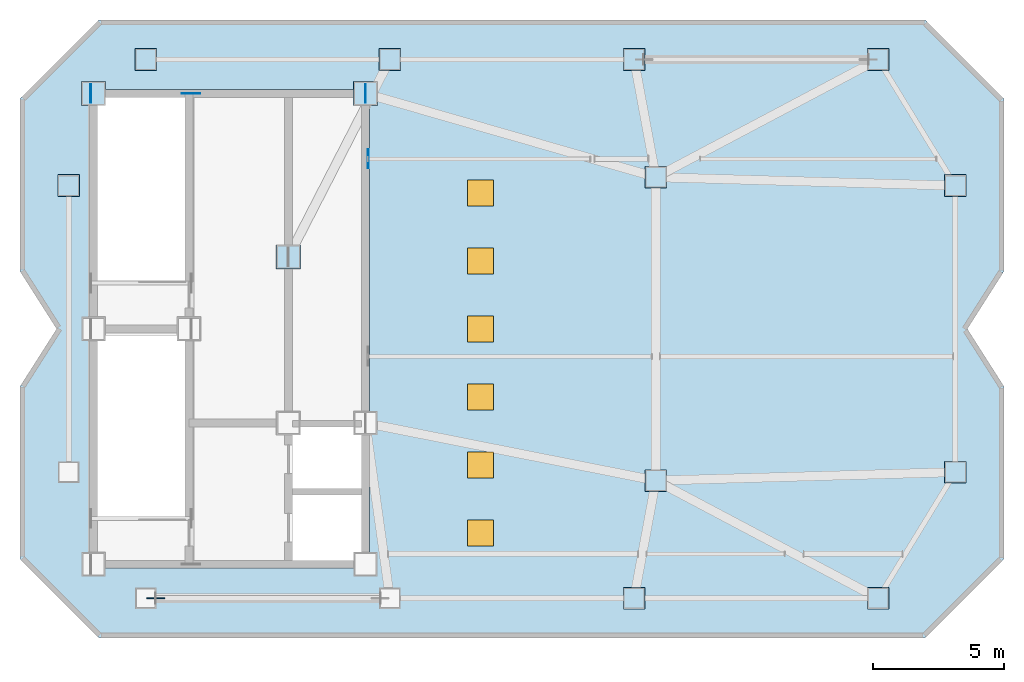
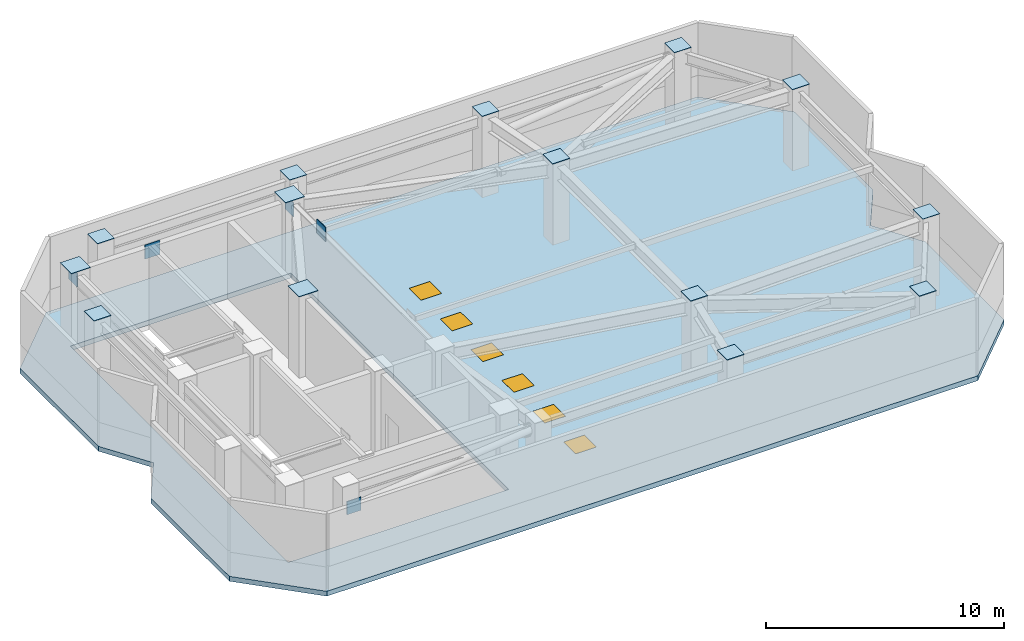
# One storey, part 2 of 7: 19 plates, 6 doors, 1 slab, 6 openings.
"""IFC4 building model written with IfcOpenShell, lengths in metres."""

from ifc_helpers import new_model, si_unit, direction, frame, origin, origin_2d, place, context, subcontext, project, spatial, polyline, rectangle, outline, extrude, material, layer, layer_set, type_object, element, fill, save


model = new_model("IFC4")

# Units and contexts
model_context = context("Model", 3, precision=1e-05, world=origin(), true_north=direction((0.0, 1.0)))
body_context = subcontext(model_context, "Body", "Model", "MODEL_VIEW")
ifc_project = project(units=[si_unit("LENGTHUNIT", "METRE"), si_unit("AREAUNIT", "SQUARE_METRE"), si_unit("VOLUMEUNIT", "CUBIC_METRE"), si_unit("PLANEANGLEUNIT", "RADIAN"), si_unit("MASSUNIT", "GRAM", prefix="KILO")], contexts=[model_context])

# Site, building, storey
site_placement = place(None, origin())
site = spatial("IfcSite", under=ifc_project, at=site_placement, CompositionType="ELEMENT")
building_placement = place(site_placement, origin())
building = spatial("IfcBuilding", under=site, at=building_placement, Name="Khamvora Tower", CompositionType="ELEMENT")
storey_placement = place(building_placement, frame((0.0, 0.0, 307.85009765625)))
storey = spatial("IfcBuildingStorey", under=building, at=storey_placement, Name="ROOF", CompositionType="ELEMENT", Elevation=307.85009765625)

# Plates
ifc_material_1 = material(Name="Steel S355", Category="steel")
ifc_layer_1 = layer(ifc_material_1, 0.02490234375)
ifc_layer_set_1 = layer_set([ifc_layer_1], Name="Steel S355")
plate_type_1 = type_object("IfcPlateType", Name="PL-CAP-25", PredefinedType="SHEET", material=ifc_layer_set_1)
for number, where, z_axis, x_axis, name in (
    (1, (29.0, 37.0, 4.175537109375), (0.0, 0.0, 1.0), (1.0, 0.0, 0.0), "ROOF hollow section steel end cap plate 0042"),
    (2, (36.449951171875, 30.75, 4.175537109375), (0.0, 0.0, 1.0), (1.0, 0.0, 0.0), "ROOF hollow section steel end cap plate 0048"),
    (3, (39.39990234375, 37.0, 4.175537109375), (0.0, 0.0, 1.0), (1.0, 0.0, 0.0), "ROOF hollow section steel end cap plate 0054"),
):
    element("IfcPlate", number, at=place(storey_placement, frame(where, z_axis=z_axis, x_axis=x_axis)), inside=storey, type_object=plate_type_1, Name=name, PredefinedType="SHEET", context=body_context, shape_type="SweptSolid", body=[
        extrude(rectangle(XDim=0.929931640625, YDim=0.929931640625, at=origin_2d()), origin(), (0.0, 0.0, 1.0), 0.02490234375),
    ])
for number, where, z_axis, x_axis, name in (
    (4, (50.5, 22.199951171875, 4.175537109375), (0.0, 0.0, 1.0), (1.0, 0.0, 0.0), "ROOF hollow section steel end cap plate 0283"),
    (5, (50.5, 33.800048828125, 4.175537109375), (0.0, 0.0, 1.0), (1.0, 0.0, 0.0), "ROOF hollow section steel end cap plate 0285"),
    (6, (49.669921875, 17.699951171875, 4.175537109375), (0.0, 0.0, 1.0), (1.0, 0.0, 0.0), "ROOF hollow section steel end cap plate 0339"),
    (7, (59.0, 17.699951171875, 4.175537109375), (0.0, 0.0, 1.0), (1.0, 0.0, 0.0), "ROOF hollow section steel end cap plate 0341"),
    (8, (31.0, 38.300048828125, 4.175537109375), (0.0, 0.0, 1.0), (1.0, 0.0, 0.0), "ROOF hollow section steel end cap plate 0343"),
    (9, (40.330078125, 38.300048828125, 4.175537109375), (0.0, 0.0, 1.0), (1.0, 0.0, 0.0), "ROOF hollow section steel end cap plate 0345"),
    (10, (49.669921875, 38.300048828125, 4.175537109375), (0.0, 0.0, 1.0), (1.0, 0.0, 0.0), "ROOF hollow section steel end cap plate 0347"),
    (11, (59.0, 38.300048828125, 4.175537109375), (0.0, 0.0, 1.0), (1.0, 0.0, 0.0), "ROOF hollow section steel end cap plate 0349"),
    (12, (28.050048828125, 33.47998046875, 4.175537109375), (0.0, 0.0, 1.0), (1.0, 0.0, 0.0), "ROOF hollow section steel end cap plate 0353"),
    (13, (61.949951171875, 22.52001953125, 4.175537109375), (0.0, 0.0, 1.0), (1.0, 0.0, 0.0), "ROOF hollow section steel end cap plate 0355"),
    (14, (61.949951171875, 33.47998046875, 4.175537109375), (0.0, 0.0, 1.0), (1.0, 0.0, 0.0), "ROOF hollow section steel end cap plate 0357"),
):
    element("IfcPlate", number, at=place(storey_placement, frame(where, z_axis=z_axis, x_axis=x_axis)), inside=storey, type_object=plate_type_1, Name=name, PredefinedType="SHEET", context=body_context, shape_type="SweptSolid", body=[
        extrude(rectangle(XDim=0.830078125, YDim=0.830078125, at=origin_2d()), origin(), (0.0, 0.0, 1.0), 0.02490234375),
    ])
ifc_material_2 = material(Name="Steel S460", Category="steel")
ifc_layer_2 = layer(ifc_material_2, 0.034912109375)
ifc_layer_set_2 = layer_set([ifc_layer_2], Name="Steel S460")
plate_type_2 = type_object("IfcPlateType", Name="PL-EMB-35", PredefinedType="SHEET", material=ifc_layer_set_2)
for number, where, z_axis, x_axis, name in (
    (15, (39.39990234375, 37.0, 3.24169921875), (0.0, 0.0, 1.0), (1.0, 0.0, 0.0), "ROOF core shear wall cast-in embed plate 2267"),
    (16, (28.89990234375, 37.0, 3.32373046875), (0.0, 0.0, 1.0), (1.0, 0.0, 0.0), "ROOF core shear wall cast-in embed plate 2270"),
):
    element("IfcPlate", number, at=place(storey_placement, frame(where, z_axis=z_axis, x_axis=x_axis)), inside=storey, type_object=plate_type_2, Name=name, PredefinedType="SHEET", context=body_context, shape_type="SweptSolid", body=[
        extrude(rectangle(XDim=0.034912109375, YDim=0.719970703125, at=origin_2d()), origin(), (0.0, 0.0, 1.0), 0.719970703125),
    ])
plate_1_placement = place(storey_placement, frame((32.72998046875, 37.0, 3.32373046875), z_axis=(0.0, 0.0, 1.0), x_axis=(1.0, 0.0, 0.0)))
element("IfcPlate", 17, at=plate_1_placement, inside=storey, type_object=plate_type_2, Name="ROOF core shear wall cast-in embed plate 2273", PredefinedType="SHEET", context=body_context, shape_type="SweptSolid", body=[
    extrude(rectangle(XDim=0.719970703125, YDim=0.034912109375, at=origin_2d()), origin(), (0.0, 0.0, 1.0), 0.719970703125),
])
plate_2_placement = place(storey_placement, frame((39.4990234375, 34.5, 3.46484375), z_axis=(0.0, 0.0, 1.0), x_axis=(1.0, 0.0, 0.0)))
element("IfcPlate", 18, at=plate_2_placement, inside=storey, type_object=plate_type_2, Name="ROOF core shear wall cast-in embed plate 2279", PredefinedType="SHEET", context=body_context, shape_type="SweptSolid", body=[
    extrude(rectangle(XDim=0.034912109375, YDim=0.719970703125, at=origin_2d()), origin(), (0.0, 0.0, 1.0), 0.719970703125),
])
ifc_layer_3 = layer(ifc_material_2, 0.0400390625)
ifc_layer_set_3 = layer_set([ifc_layer_3], Name="Steel S460")
plate_type_3 = type_object("IfcPlateType", Name="PLT-GUS-40", PredefinedType="SHEET", material=ifc_layer_set_3)
plate_3_placement = place(storey_placement, frame((31.3779296875, 17.699951171875, 2.380859375), z_axis=(0.0, 0.0, 1.0), x_axis=(1.0, 0.0, 0.0)))
element("IfcPlate", 19, at=plate_3_placement, inside=storey, type_object=plate_type_3, Name="ROOF brace connection node gusset plate 0473", PredefinedType="SHEET", context=body_context, shape_type="SweptSolid", body=[
    extrude(rectangle(XDim=0.679931640625, YDim=0.0400390625, at=origin_2d()), origin(), (0.0, 0.0, 1.0), 0.679931640625),
])

# Slab, openings, doors
ifc_material_3 = material(Name="Concrete C35/45", Category="concrete")
ifc_layer_4 = layer(ifc_material_3, 0.25)
ifc_layer_set_4 = layer_set([ifc_layer_4], Name="Concrete C35/45")
slab_type = type_object("IfcSlabType", Name="SLB-ROOF-250", PredefinedType="ROOF", material=ifc_layer_set_4)
slab_placement = place(storey_placement, frame((0.0, 0.0, -0.25)))
slab = element("IfcSlab", 20, at=slab_placement, inside=storey, type_object=slab_type, Name="ROOF main crown plant roof deck slab", PredefinedType="ROOF", context=body_context, shape_type="SweptSolid", body=[
    extrude(outline(polyline([(29.199951171875, 16.199951171875), (60.800048828125, 16.199951171875), (63.800048828125, 19.199951171875), (63.800048828125, 25.800048828125), (62.39990234375, 28.0), (63.800048828125, 30.199951171875), (63.800048828125, 36.800048828125), (60.800048828125, 39.800048828125), (29.199951171875, 39.800048828125), (26.199951171875, 36.800048828125), (26.199951171875, 30.199951171875), (27.60009765625, 28.0), (26.199951171875, 25.800048828125), (26.199951171875, 19.199951171875), (29.199951171875, 16.199951171875)]), holes=[polyline([(28.845947265625, 18.845947265625), (39.553955078125, 18.845947265625), (39.553955078125, 37.154052734375), (28.845947265625, 37.154052734375), (28.845947265625, 18.845947265625)])]), origin(), (0.0, 0.0, 1.0), 0.25),
])
opening_1_placement = place(slab_placement, frame((43.800048828125, 20.199951171875, 0.0)))
opening_1 = element("IfcOpeningElement", 21, at=opening_1_placement, cuts=slab, Name="Opening HT-01", PredefinedType="OPENING", context=body_context, shape_type="SweptSolid", body=[
    extrude(rectangle(XDim=1.0, YDim=1.0, at=origin_2d()), frame((0.0, 0.0, -0.010009765625)), (0.0, 0.0, 1.0), 0.27001953125),
])
opening_2_placement = place(slab_placement, frame((43.800048828125, 22.800048828125, 0.0)))
opening_2 = element("IfcOpeningElement", 22, at=opening_2_placement, cuts=slab, Name="Opening HT-01", PredefinedType="OPENING", context=body_context, shape_type="SweptSolid", body=[
    extrude(rectangle(XDim=1.0, YDim=1.0, at=origin_2d()), frame((0.0, 0.0, -0.010009765625)), (0.0, 0.0, 1.0), 0.27001953125),
])
opening_3_placement = place(slab_placement, frame((43.800048828125, 25.39990234375, 0.0)))
opening_3 = element("IfcOpeningElement", 23, at=opening_3_placement, cuts=slab, Name="Opening HT-01", PredefinedType="OPENING", context=body_context, shape_type="SweptSolid", body=[
    extrude(rectangle(XDim=1.0, YDim=1.0, at=origin_2d()), frame((0.0, 0.0, -0.010009765625)), (0.0, 0.0, 1.0), 0.27001953125),
])
opening_4_placement = place(slab_placement, frame((43.800048828125, 28.0, 0.0)))
opening_4 = element("IfcOpeningElement", 24, at=opening_4_placement, cuts=slab, Name="Opening HT-01", PredefinedType="OPENING", context=body_context, shape_type="SweptSolid", body=[
    extrude(rectangle(XDim=1.0, YDim=1.0, at=origin_2d()), frame((0.0, 0.0, -0.010009765625)), (0.0, 0.0, 1.0), 0.27001953125),
])
opening_5_placement = place(slab_placement, frame((43.800048828125, 30.60009765625, 0.0)))
opening_5 = element("IfcOpeningElement", 25, at=opening_5_placement, cuts=slab, Name="Opening HT-01", PredefinedType="OPENING", context=body_context, shape_type="SweptSolid", body=[
    extrude(rectangle(XDim=1.0, YDim=1.0, at=origin_2d()), frame((0.0, 0.0, -0.010009765625)), (0.0, 0.0, 1.0), 0.27001953125),
])
opening_6_placement = place(slab_placement, frame((43.800048828125, 33.199951171875, 0.0)))
opening_6 = element("IfcOpeningElement", 26, at=opening_6_placement, cuts=slab, Name="Opening HT-01", PredefinedType="OPENING", context=body_context, shape_type="SweptSolid", body=[
    extrude(rectangle(XDim=1.0, YDim=1.0, at=origin_2d()), frame((0.0, 0.0, -0.010009765625)), (0.0, 0.0, 1.0), 0.27001953125),
])
ifc_material_4 = material(Name="Galvanised Steel S355JR", Category="steel")
door_type = type_object("IfcDoorType", Name="DOR-HTCH-1000", OperationType="SINGLE_SWING_LEFT", PredefinedType="TRAPDOOR", material=ifc_material_4)
door_1_placement = place(opening_1_placement, frame((0.0, 0.0, 0.199951171875)))
door_1 = element("IfcDoor", 27, at=door_1_placement, inside=storey, type_object=door_type, Name="ROOF maintenance access hatch 01", OperationType="SINGLE_SWING_LEFT", OverallHeight=1.0, OverallWidth=1.0, PredefinedType="TRAPDOOR", context=body_context, shape_type="SweptSolid", body=[
    extrude(rectangle(XDim=1.0, YDim=1.0, at=origin_2d()), origin(), (0.0, 0.0, 1.0), 0.050048828125),
])
fill(opening_1, door_1)
door_2_placement = place(opening_2_placement, frame((0.0, 0.0, 0.199951171875)))
door_2 = element("IfcDoor", 28, at=door_2_placement, inside=storey, type_object=door_type, Name="ROOF maintenance access hatch 02", OperationType="SINGLE_SWING_LEFT", OverallHeight=1.0, OverallWidth=1.0, PredefinedType="TRAPDOOR", context=body_context, shape_type="SweptSolid", body=[
    extrude(rectangle(XDim=1.0, YDim=1.0, at=origin_2d()), origin(), (0.0, 0.0, 1.0), 0.050048828125),
])
fill(opening_2, door_2)
door_3_placement = place(opening_3_placement, frame((0.0, 0.0, 0.199951171875)))
door_3 = element("IfcDoor", 29, at=door_3_placement, inside=storey, type_object=door_type, Name="ROOF maintenance access hatch 03", OperationType="SINGLE_SWING_LEFT", OverallHeight=1.0, OverallWidth=1.0, PredefinedType="TRAPDOOR", context=body_context, shape_type="SweptSolid", body=[
    extrude(rectangle(XDim=1.0, YDim=1.0, at=origin_2d()), origin(), (0.0, 0.0, 1.0), 0.050048828125),
])
fill(opening_3, door_3)
door_4_placement = place(opening_4_placement, frame((0.0, 0.0, 0.199951171875)))
door_4 = element("IfcDoor", 30, at=door_4_placement, inside=storey, type_object=door_type, Name="ROOF maintenance access hatch 04", OperationType="SINGLE_SWING_LEFT", OverallHeight=1.0, OverallWidth=1.0, PredefinedType="TRAPDOOR", context=body_context, shape_type="SweptSolid", body=[
    extrude(rectangle(XDim=1.0, YDim=1.0, at=origin_2d()), origin(), (0.0, 0.0, 1.0), 0.050048828125),
])
fill(opening_4, door_4)
door_5_placement = place(opening_5_placement, frame((0.0, 0.0, 0.199951171875)))
door_5 = element("IfcDoor", 31, at=door_5_placement, inside=storey, type_object=door_type, Name="ROOF maintenance access hatch 05", OperationType="SINGLE_SWING_LEFT", OverallHeight=1.0, OverallWidth=1.0, PredefinedType="TRAPDOOR", context=body_context, shape_type="SweptSolid", body=[
    extrude(rectangle(XDim=1.0, YDim=1.0, at=origin_2d()), origin(), (0.0, 0.0, 1.0), 0.050048828125),
])
fill(opening_5, door_5)
door_6_placement = place(opening_6_placement, frame((0.0, 0.0, 0.199951171875)))
door_6 = element("IfcDoor", 32, at=door_6_placement, inside=storey, type_object=door_type, Name="ROOF maintenance access hatch 06", OperationType="SINGLE_SWING_LEFT", OverallHeight=1.0, OverallWidth=1.0, PredefinedType="TRAPDOOR", context=body_context, shape_type="SweptSolid", body=[
    extrude(rectangle(XDim=1.0, YDim=1.0, at=origin_2d()), origin(), (0.0, 0.0, 1.0), 0.050048828125),
])
fill(opening_6, door_6)

save(model, "model.ifc")
